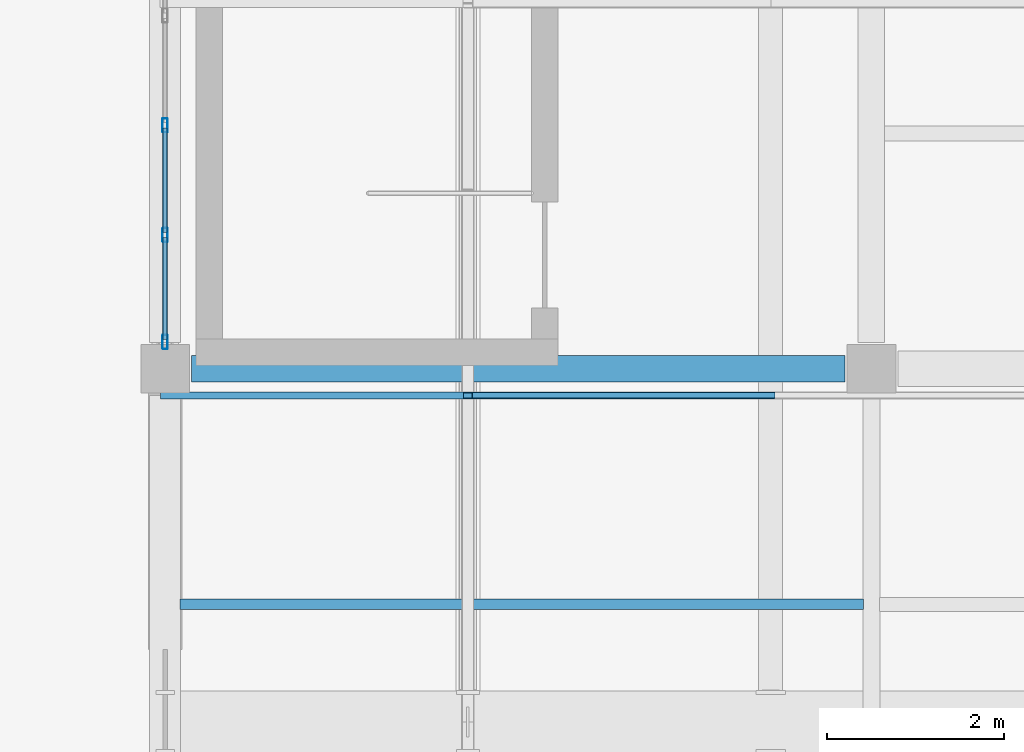
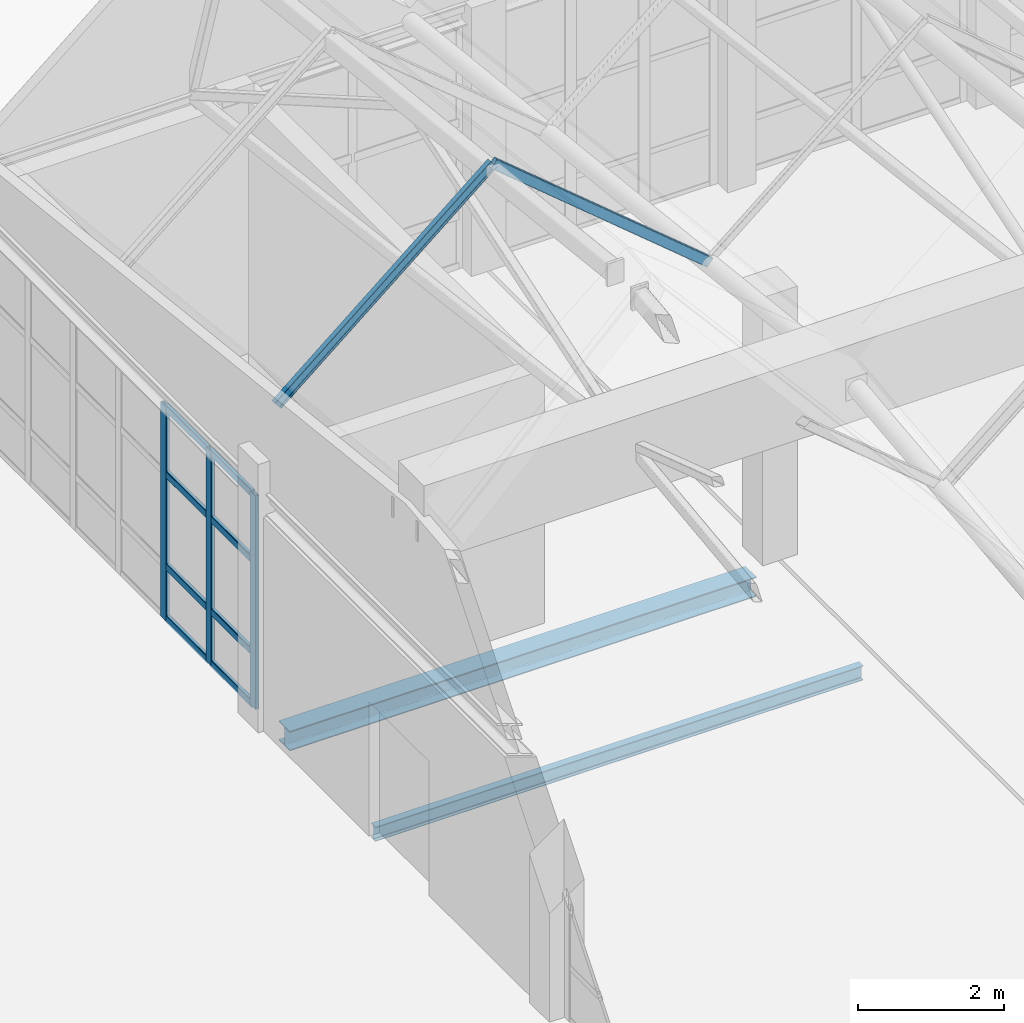
# One storey, part 56 of 183: 13 members, 2 beams, 1 element without a shape of its own.
"""IFC4 building model written with IfcOpenShell, lengths in metres."""

from ifc_helpers import new_model, si_unit, direction, frame, origin, origin_2d, place, context, subcontext, project, spatial, hollow_rectangle, i_section, extrude, material, material_profile, profile_set, type_object, element, aggregate, save


model = new_model("IFC4")

# Units and contexts
model_context = context("Model", 3, precision=1e-05, world=origin(), true_north=direction((0.0, 1.0)))
body_context = subcontext(model_context, "Body", "Model", "MODEL_VIEW")
ifc_project = project(units=[si_unit("LENGTHUNIT", "METRE"), si_unit("AREAUNIT", "SQUARE_METRE"), si_unit("VOLUMEUNIT", "CUBIC_METRE"), si_unit("PLANEANGLEUNIT", "RADIAN"), si_unit("MASSUNIT", "GRAM", prefix="KILO")], contexts=[model_context])

# Site, building, storey
site_placement = place(None, origin())
site = spatial("IfcSite", under=ifc_project, at=site_placement, CompositionType="ELEMENT")
building_placement = place(site_placement, origin())
building = spatial("IfcBuilding", under=site, at=building_placement, Name="Luwemba Playhouse", CompositionType="ELEMENT")
storey_placement = place(building_placement, frame((0.0, 0.0, 4.800048828125)))
storey = spatial("IfcBuildingStorey", under=building, at=storey_placement, Name="L01", CompositionType="ELEMENT", Elevation=4.800048828125)

# Beams
ifc_material_1 = material(Name="Steel S355", Category="steel")
ifc_material_profile_1 = material_profile(ifc_material_1, i_section(OverallWidth=0.300048828125, OverallDepth=0.330078125, WebThickness=0.009521484375, FlangeThickness=0.0166015625, FilletRadius=0.027099609375, at=origin_2d()))
ifc_profile_set_1 = profile_set([ifc_material_profile_1], Name="Steel S355")
beam_type_1 = type_object("IfcBeamType", Name="BM-SB04", PredefinedType="BEAM", material=ifc_profile_set_1)
beam_1_placement = place(storey_placement, frame((124.300048828125, 19.0, -0.4150390625), z_axis=(1.0, 0.0, 0.0), x_axis=(0.0, 1.0, 0.0)))
element("IfcBeam", 1, at=beam_1_placement, inside=storey, type_object=beam_type_1, Name="L01 grid girder 0531", PredefinedType="BEAM", context=body_context, shape_type="SweptSolid", body=[
    extrude(i_section(OverallWidth=0.300048828125, OverallDepth=0.330078125, WebThickness=0.009521484375, FlangeThickness=0.0166015625, FilletRadius=0.027099609375, at=origin_2d()), origin(), (0.0, 0.0, 1.0), 7.39990234375),
])
ifc_material_profile_2 = material_profile(ifc_material_1, i_section(OverallWidth=0.1201171875, OverallDepth=0.239990234375, WebThickness=0.006103515625, FlangeThickness=0.009765625, FilletRadius=0.014892578125, at=origin_2d()))
ifc_profile_set_2 = profile_set([ifc_material_profile_2], Name="Steel S355")
beam_type_2 = type_object("IfcBeamType", Name="BM-SJ03", PredefinedType="JOIST", material=ifc_profile_set_2)
beam_2_placement = place(storey_placement, frame((124.1708984375, 16.333251953125, -0.3701171875), z_axis=(1.0, 0.0, 0.0), x_axis=(0.0, 1.0, 0.0)))
element("IfcBeam", 2, at=beam_2_placement, inside=storey, type_object=beam_type_2, Name="L01 composite floor joist 0310", PredefinedType="JOIST", context=body_context, shape_type="SweptSolid", body=[
    extrude(i_section(OverallWidth=0.1201171875, OverallDepth=0.239990234375, WebThickness=0.006103515625, FlangeThickness=0.009765625, FilletRadius=0.014892578125, at=origin_2d()), origin(), (0.0, 0.0, 1.0), 7.738037109375),
])

# Curtain wall, members
ifc_material_2 = material(Name="Solar-control double glazing", Category="glass")
curtain_wall_type = type_object("IfcCurtainWallType", Name="CW-CW116", PredefinedType="USERDEFINED", material=ifc_material_2)
curtain_wall_placement = place(storey_placement, origin())
curtain_wall = element("IfcCurtainWall", 3, at=curtain_wall_placement, inside=storey, type_object=curtain_wall_type, Name="L01 V5E unitised curtain wall 154", ObjectType="UNITISED GLAZING", PredefinedType="USERDEFINED")
ifc_material_3 = material(Name="Aluminium 6063-T6", Category="aluminium")
ifc_material_profile_3 = material_profile(ifc_material_3, hollow_rectangle(XDim=0.06005859375, YDim=0.159912109375, WallThickness=0.00390625, InnerFilletRadius=0.006103515625, OuterFilletRadius=0.010009765625, at=origin_2d()))
ifc_profile_set_3 = profile_set([ifc_material_profile_3], Name="Aluminium 6063-T6")
member_type_1 = type_object("IfcMemberType", Name="CWM-M1", PredefinedType="MULLION", material=ifc_profile_set_3)
member_1_placement = place(storey_placement, frame((124.0, 19.304931640625, 0.0), z_axis=(0.0, 0.0, 1.0), x_axis=(-1.0, 0.0, 0.0)))
member_1 = element("IfcMember", 4, at=member_1_placement, type_object=member_type_1, Name="CW116 mullion 1", PredefinedType="MULLION", context=body_context, shape_type="SweptSolid", body=[
    extrude(hollow_rectangle(XDim=0.06005859375, YDim=0.159912109375, WallThickness=0.00390625, InnerFilletRadius=0.006103515625, OuterFilletRadius=0.010009765625, at=origin_2d()), origin(), (0.0, 0.0, 1.0), 3.5849609375),
])
member_2_placement = place(storey_placement, frame((124.0, 20.5166015625, 0.0), z_axis=(0.0, 0.0, 1.0), x_axis=(-1.0, 0.0, 0.0)))
member_2 = element("IfcMember", 5, at=member_2_placement, type_object=member_type_1, Name="CW116 mullion 2", PredefinedType="MULLION", context=body_context, shape_type="SweptSolid", body=[
    extrude(hollow_rectangle(XDim=0.06005859375, YDim=0.159912109375, WallThickness=0.00390625, InnerFilletRadius=0.006103515625, OuterFilletRadius=0.010009765625, at=origin_2d()), origin(), (0.0, 0.0, 1.0), 3.5849609375),
])
member_3_placement = place(storey_placement, frame((124.0, 21.75830078125, 0.0), z_axis=(0.0, 0.0, 1.0), x_axis=(-1.0, 0.0, 0.0)))
member_3 = element("IfcMember", 6, at=member_3_placement, type_object=member_type_1, Name="CW116 mullion 3", PredefinedType="MULLION", context=body_context, shape_type="SweptSolid", body=[
    extrude(hollow_rectangle(XDim=0.06005859375, YDim=0.159912109375, WallThickness=0.00390625, InnerFilletRadius=0.006103515625, OuterFilletRadius=0.010009765625, at=origin_2d()), origin(), (0.0, 0.0, 1.0), 3.5849609375),
])
ifc_material_profile_4 = material_profile(ifc_material_3, hollow_rectangle(XDim=0.06005859375, YDim=0.1201171875, WallThickness=0.00390625, InnerFilletRadius=0.006103515625, OuterFilletRadius=0.010009765625, at=origin_2d()))
ifc_profile_set_4 = profile_set([ifc_material_profile_4], Name="Aluminium 6063-T6")
member_type_2 = type_object("IfcMemberType", Name="CWT-T1", PredefinedType="USERDEFINED", material=ifc_profile_set_4)
member_4_placement = place(storey_placement, frame((124.0, 19.3349609375, 0.030029296875), z_axis=(0.0, 1.0, 0.0), x_axis=(-1.0, 0.0, 0.0)))
member_4 = element("IfcMember", 7, at=member_4_placement, type_object=member_type_2, Name="CW116 transom 1.1", ObjectType="TRANSOM", PredefinedType="USERDEFINED", context=body_context, shape_type="SweptSolid", body=[
    extrude(hollow_rectangle(XDim=0.06005859375, YDim=0.1201171875, WallThickness=0.00390625, InnerFilletRadius=0.006103515625, OuterFilletRadius=0.010009765625, at=origin_2d()), origin(), (0.0, 0.0, 1.0), 1.151611328125),
])
member_5_placement = place(storey_placement, frame((124.0, 19.3349609375, 0.89990234375), z_axis=(0.0, 1.0, 0.0), x_axis=(-1.0, 0.0, 0.0)))
member_5 = element("IfcMember", 8, at=member_5_placement, type_object=member_type_2, Name="CW116 transom 1.2", ObjectType="TRANSOM", PredefinedType="USERDEFINED", context=body_context, shape_type="SweptSolid", body=[
    extrude(hollow_rectangle(XDim=0.06005859375, YDim=0.1201171875, WallThickness=0.00390625, InnerFilletRadius=0.006103515625, OuterFilletRadius=0.010009765625, at=origin_2d()), origin(), (0.0, 0.0, 1.0), 1.151611328125),
])
member_6_placement = place(storey_placement, frame((124.0, 19.3349609375, 2.449951171875), z_axis=(0.0, 1.0, 0.0), x_axis=(-1.0, 0.0, 0.0)))
member_6 = element("IfcMember", 9, at=member_6_placement, type_object=member_type_2, Name="CW116 transom 1.3", ObjectType="TRANSOM", PredefinedType="USERDEFINED", context=body_context, shape_type="SweptSolid", body=[
    extrude(hollow_rectangle(XDim=0.06005859375, YDim=0.1201171875, WallThickness=0.00390625, InnerFilletRadius=0.006103515625, OuterFilletRadius=0.010009765625, at=origin_2d()), origin(), (0.0, 0.0, 1.0), 1.151611328125),
])
member_7_placement = place(storey_placement, frame((124.0, 19.3349609375, 3.554931640625), z_axis=(0.0, 1.0, 0.0), x_axis=(-1.0, 0.0, 0.0)))
member_7 = element("IfcMember", 10, at=member_7_placement, type_object=member_type_2, Name="CW116 transom 1.4", ObjectType="TRANSOM", PredefinedType="USERDEFINED", context=body_context, shape_type="SweptSolid", body=[
    extrude(hollow_rectangle(XDim=0.06005859375, YDim=0.1201171875, WallThickness=0.00390625, InnerFilletRadius=0.006103515625, OuterFilletRadius=0.010009765625, at=origin_2d()), origin(), (0.0, 0.0, 1.0), 1.151611328125),
])
member_8_placement = place(storey_placement, frame((124.0, 20.546630859375, 0.030029296875), z_axis=(0.0, 1.0, 0.0), x_axis=(-1.0, 0.0, 0.0)))
member_8 = element("IfcMember", 11, at=member_8_placement, type_object=member_type_2, Name="CW116 transom 2.1", ObjectType="TRANSOM", PredefinedType="USERDEFINED", context=body_context, shape_type="SweptSolid", body=[
    extrude(hollow_rectangle(XDim=0.06005859375, YDim=0.1201171875, WallThickness=0.00390625, InnerFilletRadius=0.006103515625, OuterFilletRadius=0.010009765625, at=origin_2d()), origin(), (0.0, 0.0, 1.0), 1.181640625),
])
member_9_placement = place(storey_placement, frame((124.0, 20.546630859375, 0.89990234375), z_axis=(0.0, 1.0, 0.0), x_axis=(-1.0, 0.0, 0.0)))
member_9 = element("IfcMember", 12, at=member_9_placement, type_object=member_type_2, Name="CW116 transom 2.2", ObjectType="TRANSOM", PredefinedType="USERDEFINED", context=body_context, shape_type="SweptSolid", body=[
    extrude(hollow_rectangle(XDim=0.06005859375, YDim=0.1201171875, WallThickness=0.00390625, InnerFilletRadius=0.006103515625, OuterFilletRadius=0.010009765625, at=origin_2d()), origin(), (0.0, 0.0, 1.0), 1.181640625),
])
member_10_placement = place(storey_placement, frame((124.0, 20.546630859375, 2.449951171875), z_axis=(0.0, 1.0, 0.0), x_axis=(-1.0, 0.0, 0.0)))
member_10 = element("IfcMember", 13, at=member_10_placement, type_object=member_type_2, Name="CW116 transom 2.3", ObjectType="TRANSOM", PredefinedType="USERDEFINED", context=body_context, shape_type="SweptSolid", body=[
    extrude(hollow_rectangle(XDim=0.06005859375, YDim=0.1201171875, WallThickness=0.00390625, InnerFilletRadius=0.006103515625, OuterFilletRadius=0.010009765625, at=origin_2d()), origin(), (0.0, 0.0, 1.0), 1.181640625),
])
member_11_placement = place(storey_placement, frame((124.0, 20.546630859375, 3.554931640625), z_axis=(0.0, 1.0, 0.0), x_axis=(-1.0, 0.0, 0.0)))
member_11 = element("IfcMember", 14, at=member_11_placement, type_object=member_type_2, Name="CW116 transom 2.4", ObjectType="TRANSOM", PredefinedType="USERDEFINED", context=body_context, shape_type="SweptSolid", body=[
    extrude(hollow_rectangle(XDim=0.06005859375, YDim=0.1201171875, WallThickness=0.00390625, InnerFilletRadius=0.006103515625, OuterFilletRadius=0.010009765625, at=origin_2d()), origin(), (0.0, 0.0, 1.0), 1.181640625),
])
aggregate(curtain_wall, [member_1, member_2, member_3, member_4, member_5, member_6, member_7, member_8, member_9, member_10, member_11])

# Members
ifc_material_profile_5 = material_profile(ifc_material_1, hollow_rectangle(XDim=0.080078125, YDim=0.159912109375, WallThickness=0.00634765625, InnerFilletRadius=0.009521484375, OuterFilletRadius=0.015869140625, at=origin_2d()))
ifc_profile_set_5 = profile_set([ifc_material_profile_5], Name="Steel S355")
member_type_3 = type_object("IfcMemberType", Name="MEM-MP03", PredefinedType="PURLIN", material=ifc_profile_set_5)
member_12_placement = place(storey_placement, frame((127.4287109375, 18.699951171875, 8.281982421875), z_axis=(0.768369259913, 0.0, -0.640006781543), x_axis=(0.0, 1.0, 0.0)))
element("IfcMember", 15, at=member_12_placement, inside=storey, type_object=member_type_3, Name="Pleated roof purlin 0538", PredefinedType="PURLIN", context=body_context, shape_type="SweptSolid", body=[
    extrude(hollow_rectangle(XDim=0.080078125, YDim=0.159912109375, WallThickness=0.00634765625, InnerFilletRadius=0.009521484375, OuterFilletRadius=0.015869140625, at=origin_2d()), origin(), (0.0, 0.0, 1.0), 4.4619140625),
])
ifc_material_profile_6 = material_profile(ifc_material_1, i_section(OverallWidth=0.08203125, OverallDepth=0.159912109375, WebThickness=0.0048828125, FlangeThickness=0.00732421875, FilletRadius=0.009033203125, at=origin_2d()))
ifc_profile_set_6 = profile_set([ifc_material_profile_6], Name="Steel S355")
member_type_4 = type_object("IfcMemberType", Name="MEM-MP05", PredefinedType="PURLIN", material=ifc_profile_set_6)
member_13_placement = place(storey_placement, frame((124.0, 18.699951171875, 5.42529296875), z_axis=(0.768364765209, 0.0, 0.640012177685), x_axis=(0.0, 1.0, 0.0)))
element("IfcMember", 16, at=member_13_placement, inside=storey, type_object=member_type_4, Name="Pleated roof purlin 0532", PredefinedType="PURLIN", context=body_context, shape_type="SweptSolid", body=[
    extrude(i_section(OverallWidth=0.08203125, OverallDepth=0.159912109375, WebThickness=0.0048828125, FlangeThickness=0.00732421875, FilletRadius=0.009033203125, at=origin_2d()), origin(), (0.0, 0.0, 1.0), 4.46240234375),
])

save(model, "model.ifc")
